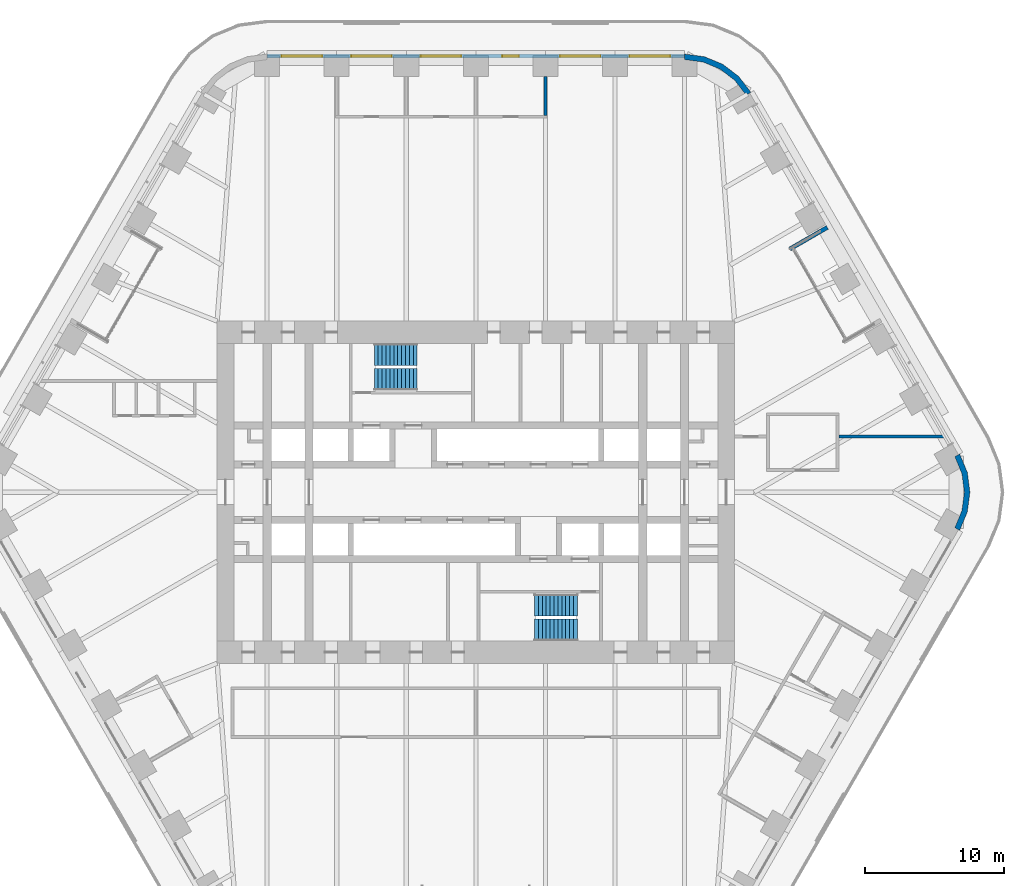
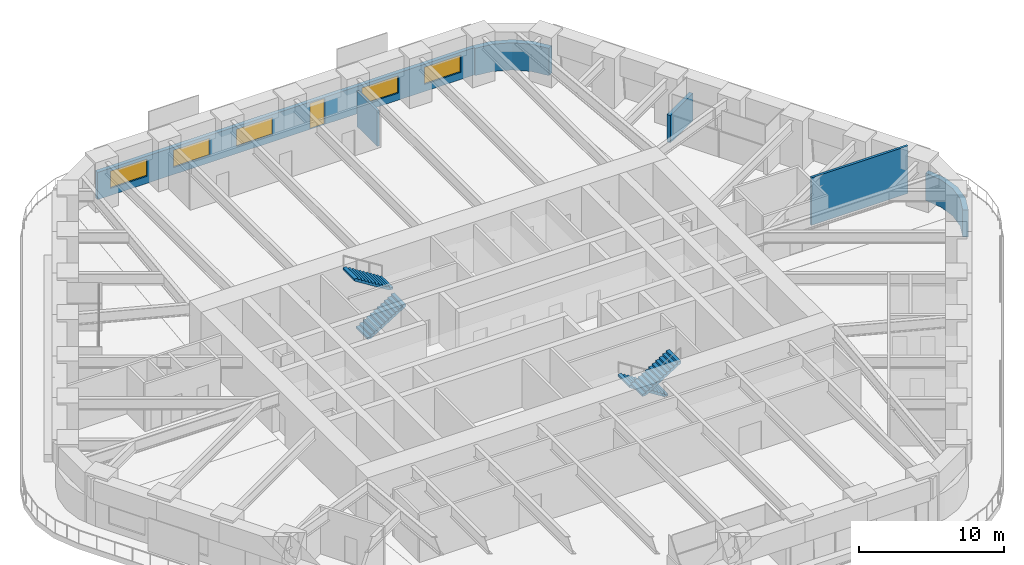
# One storey, part 21 of 24: 6 walls, 5 windows, 4 stair flights, 1 door, 6 openings, 2 elements without a shape of their own.
"""IFC4 building model written with IfcOpenShell, lengths in metres."""

from ifc_helpers import new_model, si_unit, direction, frame, frame_2d, origin, place, context, subcontext, project, spatial, polyline, rectangle, outline, extrude, material, layer, layer_set, type_object, element, fill, aggregate, save


model = new_model("IFC4")

# Units and contexts
model_context = context("Model", 3, precision=1e-05, world=origin(), true_north=direction((0.0, 1.0)))
body_context = subcontext(model_context, "Body", "Model", "MODEL_VIEW")
ifc_project = project(units=[si_unit("LENGTHUNIT", "METRE"), si_unit("AREAUNIT", "SQUARE_METRE"), si_unit("VOLUMEUNIT", "CUBIC_METRE"), si_unit("PLANEANGLEUNIT", "RADIAN"), si_unit("MASSUNIT", "GRAM", prefix="KILO")], contexts=[model_context])

# Site, building, storey
site_placement = place(None, origin())
site = spatial("IfcSite", under=ifc_project, at=site_placement, CompositionType="ELEMENT")
building_placement = place(site_placement, origin())
building = spatial("IfcBuilding", under=site, at=building_placement, Name="Tarfa Lantern Tower", CompositionType="ELEMENT")
storey_placement = place(building_placement, frame((0.0, 0.0, 123.699951171875)))
storey = spatial("IfcBuildingStorey", under=building, at=storey_placement, Name="L27", CompositionType="ELEMENT", Elevation=123.699951171875)

# Wall
ifc_material_1 = material(Name="Limestone cladding on blockwork", Category="masonry")
ifc_layer_1 = layer(ifc_material_1, 0.300048828125)
ifc_layer_set_1 = layer_set([ifc_layer_1], Name="EW1 STONE-CLAD WALL 300")
wall_type_1 = type_object("IfcWallType", Name="EW1 STONE-CLAD WALL 300", PredefinedType="SOLIDWALL", material=ifc_layer_set_1)
wall_1_placement = place(storey_placement, frame((25.266357421875, 19.037353515625, 0.0), z_axis=(0.0, 0.0, 1.0), x_axis=(-0.86600983753, -0.500026960575, 0.0)))
element("IfcWall", 1, at=wall_1_placement, inside=storey, type_object=wall_type_1, Name="Loggia return NE 2", PredefinedType="SOLIDWALL", context=body_context, shape_type="SweptSolid", body=[
    extrude(rectangle(XDim=3.099853515625, YDim=0.300048828125, at=frame_2d((1.5498046875, 0.0))), origin(), (0.0, 0.0, 1.0), 2.300048828125),
])

# Wall, openings, door, windows
wall_2_placement = place(storey_placement, frame((15.010986328125, 31.35009765625, 0.0), z_axis=(0.0, 0.0, 1.0), x_axis=(-1.0, 0.0, 0.0)))
wall_2 = element("IfcWall", 2, at=wall_2_placement, inside=storey, type_object=wall_type_1, Name="Stone wall N", PredefinedType="SOLIDWALL", context=body_context, shape_type="SweptSolid", body=[
    extrude(rectangle(XDim=30.02197265625, YDim=0.300048828125, at=frame_2d((15.010986328125, 0.0))), origin(), (0.0, 0.0, 1.0), 2.300048828125),
])
opening_1_placement = place(wall_2_placement, frame((1.0517578125, 0.0, 0.60009765625)))
opening_1 = element("IfcOpeningElement", 3, at=opening_1_placement, cuts=wall_2, Name="Opening W8", PredefinedType="OPENING", context=body_context, shape_type="SweptSolid", body=[
    extrude(rectangle(XDim=2.89990234375, YDim=1.449951171875, at=frame_2d((1.449951171875, 0.72509765625))), frame((0.0, 0.159912109375, 0.0), z_axis=(0.0, -1.0, 0.0), x_axis=(1.0, 0.0, 0.0)), (0.0, 0.0, 1.0), 0.320068359375),
])
opening_2_placement = place(wall_2_placement, frame((6.0556640625, 0.0, 0.60009765625)))
opening_2 = element("IfcOpeningElement", 4, at=opening_2_placement, cuts=wall_2, Name="Opening W8", PredefinedType="OPENING", context=body_context, shape_type="SweptSolid", body=[
    extrude(rectangle(XDim=2.89990234375, YDim=1.449951171875, at=frame_2d((1.449951171875, 0.72509765625))), frame((0.0, 0.159912109375, 0.0), z_axis=(0.0, -1.0, 0.0), x_axis=(1.0, 0.0, 0.0)), (0.0, 0.0, 1.0), 0.320068359375),
])
opening_3_placement = place(wall_2_placement, frame((11.9091796875, 0.0, 0.0)))
opening_3 = element("IfcOpeningElement", 5, at=opening_3_placement, cuts=wall_2, Name="Opening D48", PredefinedType="OPENING", context=body_context, shape_type="SweptSolid", body=[
    extrude(rectangle(XDim=1.199951171875, YDim=2.199951171875, at=frame_2d((0.60009765625, 1.10009765625))), frame((0.0, 0.159912109375, 0.0), z_axis=(0.0, -1.0, 0.0), x_axis=(1.0, 0.0, 0.0)), (0.0, 0.0, 1.0), 0.320068359375),
])
opening_4_placement = place(wall_2_placement, frame((16.06298828125, 0.0, 0.60009765625)))
opening_4 = element("IfcOpeningElement", 6, at=opening_4_placement, cuts=wall_2, Name="Opening W8", PredefinedType="OPENING", context=body_context, shape_type="SweptSolid", body=[
    extrude(rectangle(XDim=2.89990234375, YDim=1.449951171875, at=frame_2d((1.449951171875, 0.72509765625))), frame((0.0, 0.159912109375, 0.0), z_axis=(0.0, -1.0, 0.0), x_axis=(1.0, 0.0, 0.0)), (0.0, 0.0, 1.0), 0.320068359375),
])
opening_5_placement = place(wall_2_placement, frame((21.066650390625, 0.0, 0.60009765625)))
opening_5 = element("IfcOpeningElement", 7, at=opening_5_placement, cuts=wall_2, Name="Opening W8", PredefinedType="OPENING", context=body_context, shape_type="SweptSolid", body=[
    extrude(rectangle(XDim=2.89990234375, YDim=1.449951171875, at=frame_2d((1.449951171875, 0.72509765625))), frame((0.0, 0.159912109375, 0.0), z_axis=(0.0, -1.0, 0.0), x_axis=(1.0, 0.0, 0.0)), (0.0, 0.0, 1.0), 0.320068359375),
])
opening_6_placement = place(wall_2_placement, frame((26.0703125, 0.0, 0.60009765625)))
opening_6 = element("IfcOpeningElement", 8, at=opening_6_placement, cuts=wall_2, Name="Opening W8", PredefinedType="OPENING", context=body_context, shape_type="SweptSolid", body=[
    extrude(rectangle(XDim=2.89990234375, YDim=1.449951171875, at=frame_2d((1.449951171875, 0.72509765625))), frame((0.0, 0.159912109375, 0.0), z_axis=(0.0, -1.0, 0.0), x_axis=(1.0, 0.0, 0.0)), (0.0, 0.0, 1.0), 0.320068359375),
])
ifc_material_2 = material(Name="Aluminium framed glazed door", Category="aluminium")
door_type = type_object("IfcDoorType", Name="BE5 BALCONY DOOR 1200x2200", OperationType="SINGLE_SWING_RIGHT", PredefinedType="DOOR", material=ifc_material_2)
door_placement = place(opening_3_placement, origin())
door = element("IfcDoor", 9, at=door_placement, inside=storey, type_object=door_type, Name="Balcony door N", OperationType="SINGLE_SWING_RIGHT", OverallHeight=2.199951171875, OverallWidth=1.199951171875, PredefinedType="DOOR", context=body_context, shape_type="SweptSolid", body=[
    extrude(rectangle(XDim=1.199951171875, YDim=2.199951171875, at=frame_2d((0.60009765625, 1.10009765625))), frame((0.0, 0.02490234375, 0.0), z_axis=(0.0, -1.0, 0.0), x_axis=(1.0, 0.0, 0.0)), (0.0, 0.0, 1.0), 0.050048828125),
])
fill(opening_3, door)
ifc_material_3 = material(Name="Aluminium frame, double glazed", Category="aluminium")
window_type = type_object("IfcWindowType", Name="W8 FULL-HEIGHT GLAZING 2900x1450", PartitioningType="SINGLE_PANEL", PredefinedType="WINDOW", material=ifc_material_3)
window_1_placement = place(opening_1_placement, origin())
window_1 = element("IfcWindow", 10, at=window_1_placement, inside=storey, type_object=window_type, Name="Window N 1", OverallHeight=1.449951171875, OverallWidth=2.89990234375, PartitioningType="SINGLE_PANEL", PredefinedType="WINDOW", context=body_context, shape_type="SweptSolid", body=[
    extrude(rectangle(XDim=2.89990234375, YDim=1.449951171875, at=frame_2d((1.449951171875, 0.72509765625))), frame((0.0, 0.030029296875, 0.0), z_axis=(0.0, -1.0, 0.0), x_axis=(1.0, 0.0, 0.0)), (0.0, 0.0, 1.0), 0.06005859375),
])
fill(opening_1, window_1)
window_2_placement = place(opening_2_placement, origin())
window_2 = element("IfcWindow", 11, at=window_2_placement, inside=storey, type_object=window_type, Name="Window N 2", OverallHeight=1.449951171875, OverallWidth=2.89990234375, PartitioningType="SINGLE_PANEL", PredefinedType="WINDOW", context=body_context, shape_type="SweptSolid", body=[
    extrude(rectangle(XDim=2.89990234375, YDim=1.449951171875, at=frame_2d((1.449951171875, 0.72509765625))), frame((0.0, 0.030029296875, 0.0), z_axis=(0.0, -1.0, 0.0), x_axis=(1.0, 0.0, 0.0)), (0.0, 0.0, 1.0), 0.06005859375),
])
fill(opening_2, window_2)
window_3_placement = place(opening_4_placement, origin())
window_3 = element("IfcWindow", 12, at=window_3_placement, inside=storey, type_object=window_type, Name="Window N 4", OverallHeight=1.449951171875, OverallWidth=2.89990234375, PartitioningType="SINGLE_PANEL", PredefinedType="WINDOW", context=body_context, shape_type="SweptSolid", body=[
    extrude(rectangle(XDim=2.89990234375, YDim=1.449951171875, at=frame_2d((1.449951171875, 0.72509765625))), frame((0.0, 0.030029296875, 0.0), z_axis=(0.0, -1.0, 0.0), x_axis=(1.0, 0.0, 0.0)), (0.0, 0.0, 1.0), 0.06005859375),
])
fill(opening_4, window_3)
window_4_placement = place(opening_5_placement, origin())
window_4 = element("IfcWindow", 13, at=window_4_placement, inside=storey, type_object=window_type, Name="Window N 5", OverallHeight=1.449951171875, OverallWidth=2.89990234375, PartitioningType="SINGLE_PANEL", PredefinedType="WINDOW", context=body_context, shape_type="SweptSolid", body=[
    extrude(rectangle(XDim=2.89990234375, YDim=1.449951171875, at=frame_2d((1.449951171875, 0.72509765625))), frame((0.0, 0.030029296875, 0.0), z_axis=(0.0, -1.0, 0.0), x_axis=(1.0, 0.0, 0.0)), (0.0, 0.0, 1.0), 0.06005859375),
])
fill(opening_5, window_4)
window_5_placement = place(opening_6_placement, origin())
window_5 = element("IfcWindow", 14, at=window_5_placement, inside=storey, type_object=window_type, Name="Window N 6", OverallHeight=1.449951171875, OverallWidth=2.89990234375, PartitioningType="SINGLE_PANEL", PredefinedType="WINDOW", context=body_context, shape_type="SweptSolid", body=[
    extrude(rectangle(XDim=2.89990234375, YDim=1.449951171875, at=frame_2d((1.449951171875, 0.72509765625))), frame((0.0, 0.030029296875, 0.0), z_axis=(0.0, -1.0, 0.0), x_axis=(1.0, 0.0, 0.0)), (0.0, 0.0, 1.0), 0.06005859375),
])
fill(opening_6, window_5)

# Walls
ifc_layer_2 = layer(ifc_material_1, 0.39990234375)
ifc_layer_set_2 = layer_set([ifc_layer_2], Name="EW2 CURVED STONE CORNER 400")
wall_type_2 = type_object("IfcWallType", Name="EW2 CURVED STONE CORNER 400", PredefinedType="SOLIDWALL", material=ifc_layer_set_2)
wall_3_placement = place(storey_placement, origin())
element("IfcWall", 15, at=wall_3_placement, inside=storey, type_object=wall_type_2, Name="Stone corner NE-N", PredefinedType="SOLIDWALL", context=body_context, shape_type="SweptSolid", body=[
    extrude(outline(polyline([(19.774169921875, 28.75), (18.900146484375, 29.88916015625), (17.760986328125, 30.76318359375), (16.4345703125, 31.3125), (15.010986328125, 31.5), (15.010986328125, 31.10009765625), (16.3310546875, 30.92626953125), (17.56103515625, 30.416748046875), (18.617431640625, 29.606201171875), (19.427734375, 28.550048828125), (19.774169921875, 28.75)])), origin(), (0.0, 0.0, 1.0), 2.300048828125),
])
wall_4_placement = place(storey_placement, origin())
element("IfcWall", 16, at=wall_4_placement, inside=storey, type_object=wall_type_2, Name="Stone corner SE-NE", PredefinedType="SOLIDWALL", context=body_context, shape_type="SweptSolid", body=[
    extrude(outline(polyline([(34.785400390625, -2.75), (35.334716796875, -1.423583984375), (35.522216796875, 0.0), (35.334716796875, 1.423583984375), (34.785400390625, 2.75), (34.43896484375, 2.550048828125), (34.948486328125, 1.320068359375), (35.122314453125, 0.0), (34.948486328125, -1.320068359375), (34.43896484375, -2.550048828125), (34.785400390625, -2.75)])), origin(), (0.0, 0.0, 1.0), 2.300048828125),
])
ifc_material_4 = material(Name="Gypsum board on steel studs", Category="steel")
ifc_layer_3 = layer(ifc_material_4, 0.2099609375)
ifc_layer_set_3 = layer_set([ifc_layer_3], Name="IW2 ACOUSTIC PARTITION 200")
wall_type_3 = type_object("IfcWallType", Name="IW2 ACOUSTIC PARTITION 200", PredefinedType="PARTITIONING", material=ifc_layer_set_3)
wall_5_placement = place(storey_placement, frame((5.003662109375, 27.10009765625, 0.0), z_axis=(0.0, 0.0, 1.0), x_axis=(0.0, 1.0, 0.0)))
element("IfcWall", 17, at=wall_5_placement, inside=storey, type_object=wall_type_3, Name="Partition", PredefinedType="PARTITIONING", context=body_context, shape_type="SweptSolid", body=[
    extrude(rectangle(XDim=2.7998046875, YDim=0.199951171875, at=frame_2d((1.39990234375, 0.0))), origin(), (0.0, 0.0, 1.0), 2.991943359375),
])
wall_6_placement = place(storey_placement, frame((26.10009765625, 4.0, 0.0), z_axis=(0.0, 0.0, 1.0), x_axis=(1.0, 0.0, 0.0)))
element("IfcWall", 18, at=wall_6_placement, inside=storey, type_object=wall_type_3, Name="Partition", PredefinedType="PARTITIONING", context=body_context, shape_type="SweptSolid", body=[
    extrude(rectangle(XDim=7.70947265625, YDim=0.199951171875, at=frame_2d((3.854736328125, 0.0))), origin(), (0.0, 0.0, 1.0), 4.0),
])

# Stair, stair flights
ifc_material_5 = material(Name="Concrete C40/50", Category="concrete")
stair_type = type_object("IfcStairType", Name="ST-T10 HALF-TURN STAIR 4200 RISE", PredefinedType="HALF_TURN_STAIR", material=ifc_material_5)
stair_1_placement = place(storey_placement, origin())
stair_1 = element("IfcStair", 19, at=stair_1_placement, inside=storey, type_object=stair_type, Name="Stair ST1", PredefinedType="HALF_TURN_STAIR")
stair_flight_type = type_object("IfcStairFlightType", Name="SF1 STAIR FLIGHT", PredefinedType="STRAIGHT", material=ifc_material_5)
stair_flight_1_placement = place(storey_placement, frame((-7.300048828125, 8.10009765625, 0.0), z_axis=(0.0, 0.0, 1.0), x_axis=(1.0, 0.0, 0.0)))
stair_flight_1 = element("IfcStairFlight", 20, at=stair_flight_1_placement, type_object=stair_flight_type, Name="ST1 flight 1", NumberOfRisers=12, NumberOfTreads=11, PredefinedType="STRAIGHT", RiserHeight=0.175, TreadLength=0.28, context=body_context, shape_type="SweptSolid", body=[
    extrude(outline(polyline([(0.0, 0.0), (0.0, 0.175048828125), (0.280029296875, 0.175048828125), (0.280029296875, 0.35009765625), (0.56005859375, 0.35009765625), (0.56005859375, 0.52490234375), (0.840087890625, 0.52490234375), (0.840087890625, 0.699951171875), (1.1201171875, 0.699951171875), (1.1201171875, 0.875), (1.39990234375, 0.875), (1.39990234375, 1.050048828125), (1.679931640625, 1.050048828125), (1.679931640625, 1.22509765625), (1.9599609375, 1.22509765625), (1.9599609375, 1.39990234375), (2.239990234375, 1.39990234375), (2.239990234375, 1.574951171875), (2.52001953125, 1.574951171875), (2.52001953125, 1.75), (2.800048828125, 1.75), (2.800048828125, 1.925048828125), (3.080078125, 1.925048828125), (3.080078125, 2.10009765625), (3.080078125, 1.748291015625), (0.28271484375, 0.0), (0.0, 0.0)])), frame((0.0, 0.800048828125, 0.0), z_axis=(0.0, -1.0, 0.0), x_axis=(1.0, 0.0, 0.0)), (0.0, 0.0, 1.0), 1.60009765625),
])
stair_flight_2_placement = place(storey_placement, frame((-4.219970703125, 9.89990234375, 2.10009765625), z_axis=(0.0, 0.0, 1.0), x_axis=(-1.0, 0.0, 0.0)))
stair_flight_2 = element("IfcStairFlight", 21, at=stair_flight_2_placement, type_object=stair_flight_type, Name="ST1 flight 2", NumberOfRisers=12, NumberOfTreads=11, PredefinedType="STRAIGHT", RiserHeight=0.175, TreadLength=0.28, context=body_context, shape_type="SweptSolid", body=[
    extrude(outline(polyline([(0.0, 0.0), (0.0, 0.175048828125), (0.280029296875, 0.175048828125), (0.280029296875, 0.35009765625), (0.56005859375, 0.35009765625), (0.56005859375, 0.52490234375), (0.840087890625, 0.52490234375), (0.840087890625, 0.699951171875), (1.1201171875, 0.699951171875), (1.1201171875, 0.875), (1.39990234375, 0.875), (1.39990234375, 1.050048828125), (1.679931640625, 1.050048828125), (1.679931640625, 1.22509765625), (1.9599609375, 1.22509765625), (1.9599609375, 1.39990234375), (2.239990234375, 1.39990234375), (2.239990234375, 1.574951171875), (2.52001953125, 1.574951171875), (2.52001953125, 1.75), (2.800048828125, 1.75), (2.800048828125, 1.925048828125), (3.080078125, 1.925048828125), (3.080078125, 2.10009765625), (3.080078125, 1.748291015625), (0.28271484375, 0.0), (0.0, 0.0)])), frame((0.0, 0.800048828125, 0.0), z_axis=(0.0, -1.0, 0.0), x_axis=(1.0, 0.0, 0.0)), (0.0, 0.0, 1.0), 1.60009765625),
])
aggregate(stair_1, [stair_flight_1, stair_flight_2])

stair_2_placement = place(storey_placement, origin())
stair_2 = element("IfcStair", 22, at=stair_2_placement, inside=storey, type_object=stair_type, Name="Stair ST2", PredefinedType="HALF_TURN_STAIR")
stair_flight_3_placement = place(storey_placement, frame((7.300048828125, -8.10009765625, 0.0), z_axis=(0.0, 0.0, 1.0), x_axis=(-1.0, 0.0, 0.0)))
stair_flight_3 = element("IfcStairFlight", 23, at=stair_flight_3_placement, type_object=stair_flight_type, Name="ST2 flight 1", NumberOfRisers=12, NumberOfTreads=11, PredefinedType="STRAIGHT", RiserHeight=0.175, TreadLength=0.28, context=body_context, shape_type="SweptSolid", body=[
    extrude(outline(polyline([(0.0, 0.0), (0.0, 0.175048828125), (0.280029296875, 0.175048828125), (0.280029296875, 0.35009765625), (0.56005859375, 0.35009765625), (0.56005859375, 0.52490234375), (0.840087890625, 0.52490234375), (0.840087890625, 0.699951171875), (1.1201171875, 0.699951171875), (1.1201171875, 0.875), (1.39990234375, 0.875), (1.39990234375, 1.050048828125), (1.679931640625, 1.050048828125), (1.679931640625, 1.22509765625), (1.9599609375, 1.22509765625), (1.9599609375, 1.39990234375), (2.239990234375, 1.39990234375), (2.239990234375, 1.574951171875), (2.52001953125, 1.574951171875), (2.52001953125, 1.75), (2.800048828125, 1.75), (2.800048828125, 1.925048828125), (3.080078125, 1.925048828125), (3.080078125, 2.10009765625), (3.080078125, 1.748291015625), (0.28271484375, 0.0), (0.0, 0.0)])), frame((0.0, 0.800048828125, 0.0), z_axis=(0.0, -1.0, 0.0), x_axis=(1.0, 0.0, 0.0)), (0.0, 0.0, 1.0), 1.60009765625),
])
stair_flight_4_placement = place(storey_placement, frame((4.219970703125, -9.89990234375, 2.10009765625), z_axis=(0.0, 0.0, 1.0), x_axis=(1.0, 0.0, 0.0)))
stair_flight_4 = element("IfcStairFlight", 24, at=stair_flight_4_placement, type_object=stair_flight_type, Name="ST2 flight 2", NumberOfRisers=12, NumberOfTreads=11, PredefinedType="STRAIGHT", RiserHeight=0.175, TreadLength=0.28, context=body_context, shape_type="SweptSolid", body=[
    extrude(outline(polyline([(0.0, 0.0), (0.0, 0.175048828125), (0.280029296875, 0.175048828125), (0.280029296875, 0.35009765625), (0.56005859375, 0.35009765625), (0.56005859375, 0.52490234375), (0.840087890625, 0.52490234375), (0.840087890625, 0.699951171875), (1.1201171875, 0.699951171875), (1.1201171875, 0.875), (1.39990234375, 0.875), (1.39990234375, 1.050048828125), (1.679931640625, 1.050048828125), (1.679931640625, 1.22509765625), (1.9599609375, 1.22509765625), (1.9599609375, 1.39990234375), (2.239990234375, 1.39990234375), (2.239990234375, 1.574951171875), (2.52001953125, 1.574951171875), (2.52001953125, 1.75), (2.800048828125, 1.75), (2.800048828125, 1.925048828125), (3.080078125, 1.925048828125), (3.080078125, 2.10009765625), (3.080078125, 1.748291015625), (0.28271484375, 0.0), (0.0, 0.0)])), frame((0.0, 0.800048828125, 0.0), z_axis=(0.0, -1.0, 0.0), x_axis=(1.0, 0.0, 0.0)), (0.0, 0.0, 1.0), 1.60009765625),
])
aggregate(stair_2, [stair_flight_3, stair_flight_4])

save(model, "model.ifc")
